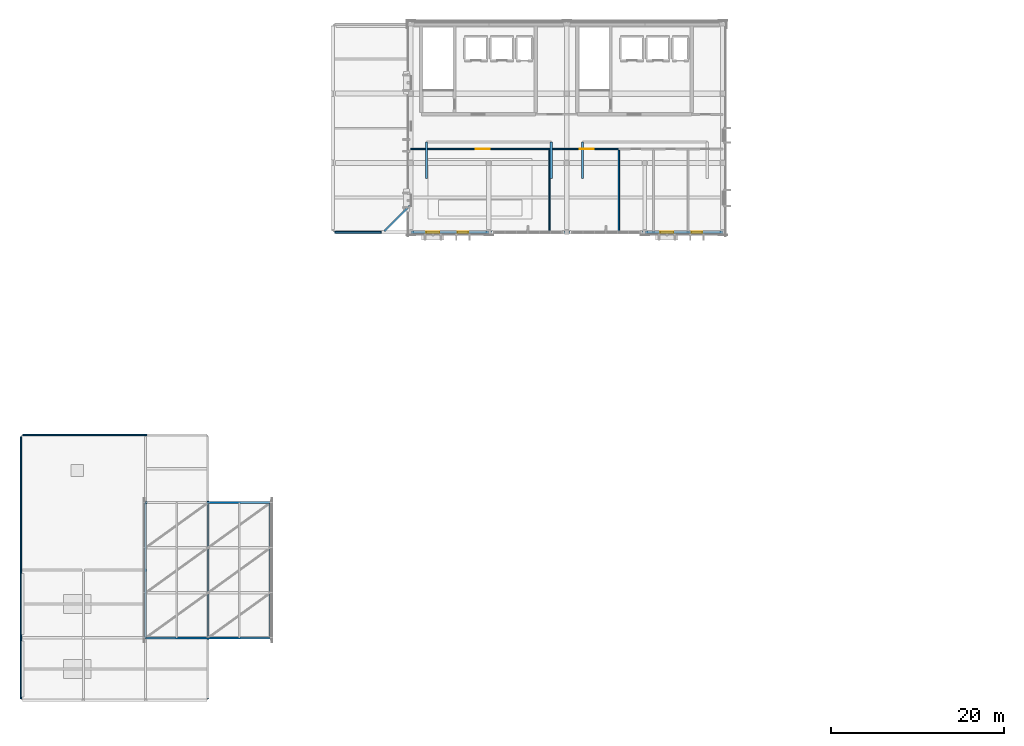
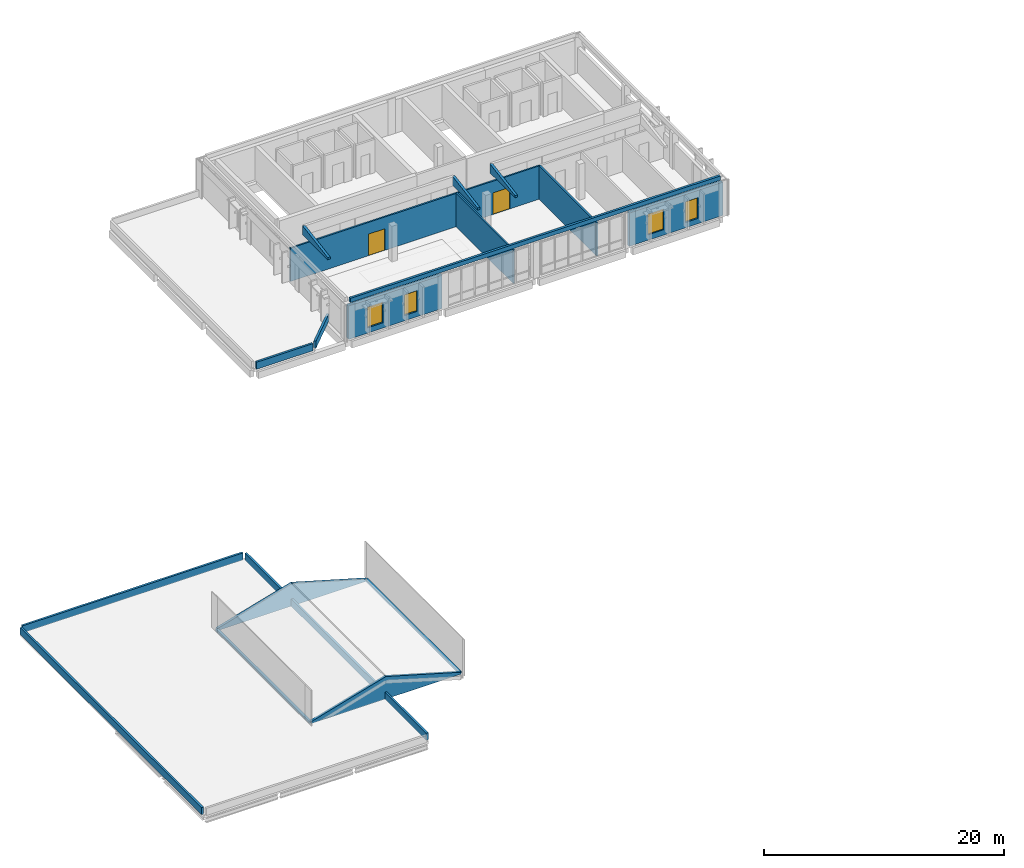
# One storey, part 7 of 12: 19 walls, 4 windows, 2 doors, 6 openings.
"""IFC4 building model written with IfcOpenShell, lengths in metres."""

from ifc_helpers import new_model, si_unit, direction, frame, frame_2d, origin, place, context, subcontext, project, spatial, polyline, rectangle, outline, extrude, material, layer, layer_set, type_object, element, fill, save


model = new_model("IFC4")

# Units and contexts
model_context = context("Model", 3, precision=1e-05, world=origin(), true_north=direction((0.0, 1.0)))
body_context = subcontext(model_context, "Body", "Model", "MODEL_VIEW")
ifc_project = project(units=[si_unit("LENGTHUNIT", "METRE"), si_unit("AREAUNIT", "SQUARE_METRE"), si_unit("VOLUMEUNIT", "CUBIC_METRE"), si_unit("PLANEANGLEUNIT", "RADIAN"), si_unit("MASSUNIT", "GRAM", prefix="KILO")], contexts=[model_context])

# Site, building, storey
site_placement = place(None, origin())
site = spatial("IfcSite", under=ifc_project, at=site_placement, CompositionType="ELEMENT")
building_placement = place(site_placement, origin())
building = spatial("IfcBuilding", under=site, at=building_placement, Name="Vervanel Yard Central Library", CompositionType="ELEMENT")
storey_placement = place(building_placement, frame((0.0, 0.0, 20.260009765625)))
storey = spatial("IfcBuildingStorey", under=building, at=storey_placement, Name="L05", CompositionType="ELEMENT", Elevation=20.260009765625)

# Wall, opening, door
ifc_material_1 = material(Name="Fire-rated gypsum board on steel studs", Category="steel")
ifc_layer_1 = layer(ifc_material_1, 0.159912109375, Category="steel")
ifc_layer_set_1 = layer_set([ifc_layer_1], Name="Fire-rated gypsum board on steel studs")
wall_type_1 = type_object("IfcWallType", Name="Acoustic Glazed Partition 160", PredefinedType="PARTITIONING", material=ifc_layer_set_1)
wall_1_placement = place(storey_placement, frame((45.0, 99.60009765625, 0.0), z_axis=(0.0, 0.0, 1.0), x_axis=(1.0, 0.0, 0.0)))
wall_1 = element("IfcWall", 1, at=wall_1_placement, inside=storey, type_object=wall_type_1, Name="L05 Acoustic Glazed Partition 160 IPART-L05-0123", PredefinedType="PARTITIONING", context=body_context, shape_type="SweptSolid", body=[
    extrude(rectangle(XDim=16.0, YDim=0.159912109375, at=frame_2d((8.0, 0.0))), origin(), (0.0, 0.0, 1.0), 3.389892578125),
])
opening_1_placement = place(wall_1_placement, frame((7.5, 0.0, 0.0)))
opening_1 = element("IfcOpeningElement", 2, at=opening_1_placement, cuts=wall_1, Name="Opening DR-04", PredefinedType="OPENING", context=body_context, shape_type="SweptSolid", body=[
    extrude(rectangle(XDim=1.60009765625, YDim=2.199951171875, at=frame_2d((0.800048828125, 1.10009765625))), frame((0.0, 0.08984375, 0.0), z_axis=(0.0, -1.0, 0.0), x_axis=(1.0, 0.0, 0.0)), (0.0, 0.0, 1.0), 0.179931640625),
])
ifc_material_2 = material(Name="Solid white oak acoustic joinery", Category="wood")
door_type = type_object("IfcDoorType", Name="Interior Double Reading Door 1600x2200", OperationType="NOTDEFINED", PredefinedType="DOOR", material=ifc_material_2)
door_1_placement = place(opening_1_placement, origin())
door_1 = element("IfcDoor", 3, at=door_1_placement, inside=storey, type_object=door_type, Name="L05 Interior Double Reading Door 1600x2200 IDOOR-L05-0096", OperationType="DOUBLE_DOOR_SINGLE_SWING", OverallHeight=2.199951171875, OverallWidth=1.60009765625, PredefinedType="DOOR", context=body_context, shape_type="SweptSolid", body=[
    extrude(rectangle(XDim=1.60009765625, YDim=2.199951171875, at=frame_2d((0.800048828125, 1.10009765625))), frame((0.0, 0.02490234375, 0.0), z_axis=(0.0, -1.0, 0.0), x_axis=(1.0, 0.0, 0.0)), (0.0, 0.0, 1.0), 0.050048828125),
])
fill(opening_1, door_1)

# Wall, openings, windows
ifc_material_3 = material(Name="Concrete C45/55", Category="concrete")
ifc_layer_2 = layer(ifc_material_3, 0.340087890625, Category="concrete")
ifc_layer_set_2 = layer_set([ifc_layer_2], Name="Concrete C45/55")
wall_type_2 = type_object("IfcWallType", Name="Exterior Bearing Concrete Frame Wall 340", PredefinedType="SOLIDWALL", material=ifc_layer_set_2)
wall_2_placement = place(storey_placement, frame((45.0, 90.0, 0.0), z_axis=(0.0, 0.0, 1.0), x_axis=(1.0, 0.0, 0.0)))
wall_2 = element("IfcWall", 4, at=wall_2_placement, inside=storey, type_object=wall_type_2, Name="L05 Exterior Bearing Concrete Frame Wall 340 EWALL-L05-0076", PredefinedType="SOLIDWALL", context=body_context, shape_type="SweptSolid", body=[
    extrude(rectangle(XDim=9.0, YDim=0.340087890625, at=frame_2d((4.5, 0.0))), origin(), (0.0, 0.0, 1.0), 3.389892578125),
])
opening_2_placement = place(wall_2_placement, frame((1.800048828125, 0.0, 0.544921875)))
opening_2 = element("IfcOpeningElement", 5, at=opening_2_placement, cuts=wall_2, Name="Opening WN-02", PredefinedType="OPENING", context=body_context, shape_type="SweptSolid", body=[
    extrude(rectangle(XDim=1.5, YDim=2.10009765625, at=frame_2d((0.75, 1.050048828125))), frame((0.0, 0.179931640625, 0.0), z_axis=(0.0, -1.0, 0.0), x_axis=(1.0, 0.0, 0.0)), (0.0, 0.0, 1.0), 0.360107421875),
])
opening_3_placement = place(wall_2_placement, frame((5.39990234375, 0.0, 0.544921875)))
opening_3 = element("IfcOpeningElement", 6, at=opening_3_placement, cuts=wall_2, Name="Opening WN-01", PredefinedType="OPENING", context=body_context, shape_type="SweptSolid", body=[
    extrude(rectangle(XDim=1.199951171875, YDim=2.10009765625, at=frame_2d((0.60009765625, 1.050048828125))), frame((0.0, 0.179931640625, 0.0), z_axis=(0.0, -1.0, 0.0), x_axis=(1.0, 0.0, 0.0)), (0.0, 0.0, 1.0), 0.360107421875),
])
ifc_material_4 = material(Name="Double low-E laminated solar-control glass", Category="glass")
window_type_1 = type_object("IfcWindowType", Name="Reading Bay Window 1500x2100", PartitioningType="SINGLE_PANEL", PredefinedType="WINDOW", material=ifc_material_4)
window_1_placement = place(opening_2_placement, origin())
window_1 = element("IfcWindow", 7, at=window_1_placement, inside=storey, type_object=window_type_1, Name="L05 Reading Bay Window 1500x2100 100", OverallHeight=2.10009765625, OverallWidth=1.5, PartitioningType="SINGLE_PANEL", PredefinedType="WINDOW", context=body_context, shape_type="SweptSolid", body=[
    extrude(rectangle(XDim=1.5, YDim=2.10009765625, at=frame_2d((0.75, 1.050048828125))), frame((0.0, 0.030029296875, 0.0), z_axis=(0.0, -1.0, 0.0), x_axis=(1.0, 0.0, 0.0)), (0.0, 0.0, 1.0), 0.06005859375),
])
fill(opening_2, window_1)
window_type_2 = type_object("IfcWindowType", Name="Reading Slot Window 1200x2100", PartitioningType="SINGLE_PANEL", PredefinedType="WINDOW", material=ifc_material_4)
window_2_placement = place(opening_3_placement, origin())
window_2 = element("IfcWindow", 8, at=window_2_placement, inside=storey, type_object=window_type_2, Name="L05 Reading Slot Window 1200x2100 101", OverallHeight=2.10009765625, OverallWidth=1.199951171875, PartitioningType="SINGLE_PANEL", PredefinedType="WINDOW", context=body_context, shape_type="SweptSolid", body=[
    extrude(rectangle(XDim=1.199951171875, YDim=2.10009765625, at=frame_2d((0.60009765625, 1.050048828125))), frame((0.0, 0.030029296875, 0.0), z_axis=(0.0, -1.0, 0.0), x_axis=(1.0, 0.0, 0.0)), (0.0, 0.0, 1.0), 0.06005859375),
])
fill(opening_3, window_2)

wall_3_placement = place(storey_placement, frame((72.0, 90.0, 0.0), z_axis=(0.0, 0.0, 1.0), x_axis=(1.0, 0.0, 0.0)))
wall_3 = element("IfcWall", 9, at=wall_3_placement, inside=storey, type_object=wall_type_2, Name="L05 Exterior Bearing Concrete Frame Wall 340 EWALL-L05-0077", PredefinedType="SOLIDWALL", context=body_context, shape_type="SweptSolid", body=[
    extrude(rectangle(XDim=9.0, YDim=0.340087890625, at=frame_2d((4.5, 0.0))), origin(), (0.0, 0.0, 1.0), 3.389892578125),
])
opening_4_placement = place(wall_3_placement, frame((1.800048828125, 0.0, 0.544921875)))
opening_4 = element("IfcOpeningElement", 10, at=opening_4_placement, cuts=wall_3, Name="Opening WN-02", PredefinedType="OPENING", context=body_context, shape_type="SweptSolid", body=[
    extrude(rectangle(XDim=1.5, YDim=2.10009765625, at=frame_2d((0.75, 1.050048828125))), frame((0.0, 0.179931640625, 0.0), z_axis=(0.0, -1.0, 0.0), x_axis=(1.0, 0.0, 0.0)), (0.0, 0.0, 1.0), 0.360107421875),
])
opening_5_placement = place(wall_3_placement, frame((5.39990234375, 0.0, 0.544921875)))
opening_5 = element("IfcOpeningElement", 11, at=opening_5_placement, cuts=wall_3, Name="Opening WN-01", PredefinedType="OPENING", context=body_context, shape_type="SweptSolid", body=[
    extrude(rectangle(XDim=1.199951171875, YDim=2.10009765625, at=frame_2d((0.60009765625, 1.050048828125))), frame((0.0, 0.179931640625, 0.0), z_axis=(0.0, -1.0, 0.0), x_axis=(1.0, 0.0, 0.0)), (0.0, 0.0, 1.0), 0.360107421875),
])
window_3_placement = place(opening_4_placement, origin())
window_3 = element("IfcWindow", 12, at=window_3_placement, inside=storey, type_object=window_type_1, Name="L05 Reading Bay Window 1500x2100 102", OverallHeight=2.10009765625, OverallWidth=1.5, PartitioningType="SINGLE_PANEL", PredefinedType="WINDOW", context=body_context, shape_type="SweptSolid", body=[
    extrude(rectangle(XDim=1.5, YDim=2.10009765625, at=frame_2d((0.75, 1.050048828125))), frame((0.0, 0.030029296875, 0.0), z_axis=(0.0, -1.0, 0.0), x_axis=(1.0, 0.0, 0.0)), (0.0, 0.0, 1.0), 0.06005859375),
])
fill(opening_4, window_3)
window_4_placement = place(opening_5_placement, origin())
window_4 = element("IfcWindow", 13, at=window_4_placement, inside=storey, type_object=window_type_2, Name="L05 Reading Slot Window 1200x2100 103", OverallHeight=2.10009765625, OverallWidth=1.199951171875, PartitioningType="SINGLE_PANEL", PredefinedType="WINDOW", context=body_context, shape_type="SweptSolid", body=[
    extrude(rectangle(XDim=1.199951171875, YDim=2.10009765625, at=frame_2d((0.60009765625, 1.050048828125))), frame((0.0, 0.030029296875, 0.0), z_axis=(0.0, -1.0, 0.0), x_axis=(1.0, 0.0, 0.0)), (0.0, 0.0, 1.0), 0.06005859375),
])
fill(opening_5, window_4)

# Wall, opening, door
ifc_layer_3 = layer(ifc_material_1, 0.14990234375, Category="steel")
ifc_layer_set_3 = layer_set([ifc_layer_3], Name="Fire-rated gypsum board on steel studs")
wall_type_3 = type_object("IfcWallType", Name="Interior Partition 150", PredefinedType="PARTITIONING", material=ifc_layer_set_3)
wall_4_placement = place(storey_placement, frame((61.0, 99.60009765625, 0.0), z_axis=(0.0, 0.0, 1.0), x_axis=(1.0, 0.0, 0.0)))
wall_4 = element("IfcWall", 14, at=wall_4_placement, inside=storey, type_object=wall_type_3, Name="L05 Interior Partition 150 IPART-L05-0124", PredefinedType="PARTITIONING", context=body_context, shape_type="SweptSolid", body=[
    extrude(rectangle(XDim=8.0, YDim=0.14990234375, at=frame_2d((4.0, 0.0))), origin(), (0.0, 0.0, 1.0), 3.389892578125),
])
opening_6_placement = place(wall_4_placement, frame((3.5, 0.0, 0.0)))
opening_6 = element("IfcOpeningElement", 15, at=opening_6_placement, cuts=wall_4, Name="Opening DR-04", PredefinedType="OPENING", context=body_context, shape_type="SweptSolid", body=[
    extrude(rectangle(XDim=1.60009765625, YDim=2.199951171875, at=frame_2d((0.800048828125, 1.10009765625))), frame((0.0, 0.0849609375, 0.0), z_axis=(0.0, -1.0, 0.0), x_axis=(1.0, 0.0, 0.0)), (0.0, 0.0, 1.0), 0.169921875),
])
door_2_placement = place(opening_6_placement, origin())
door_2 = element("IfcDoor", 16, at=door_2_placement, inside=storey, type_object=door_type, Name="L05 Interior Double Reading Door 1600x2200 IDOOR-L05-0097", OperationType="DOUBLE_DOOR_SINGLE_SWING", OverallHeight=2.199951171875, OverallWidth=1.60009765625, PredefinedType="DOOR", context=body_context, shape_type="SweptSolid", body=[
    extrude(rectangle(XDim=1.60009765625, YDim=2.199951171875, at=frame_2d((0.800048828125, 1.10009765625))), frame((0.0, 0.02490234375, 0.0), z_axis=(0.0, -1.0, 0.0), x_axis=(1.0, 0.0, 0.0)), (0.0, 0.0, 1.0), 0.050048828125),
])
fill(opening_6, door_2)

# Walls
wall_5_placement = place(storey_placement, frame((61.0, 90.0, 0.0), z_axis=(0.0, 0.0, 1.0), x_axis=(0.0, 1.0, 0.0)))
element("IfcWall", 17, at=wall_5_placement, inside=storey, type_object=wall_type_3, Name="L05 Interior Partition 150 IPART-L05-0125", PredefinedType="PARTITIONING", context=body_context, shape_type="SweptSolid", body=[
    extrude(rectangle(XDim=9.60009765625, YDim=0.14990234375, at=frame_2d((4.800048828125, 0.0))), origin(), (0.0, 0.0, 1.0), 3.389892578125),
])
ifc_material_5 = material(Name="Concrete C40/50", Category="concrete")
ifc_layer_4 = layer(ifc_material_5, 0.219970703125, Category="concrete")
ifc_layer_set_4 = layer_set([ifc_layer_4], Name="Concrete C40/50")
wall_type_4 = type_object("IfcWallType", Name="Main Roof Concrete Parapet 220", PredefinedType="PARAPET", material=ifc_layer_set_4)
wall_6_placement = place(storey_placement, frame((45.219970703125, 90.0, 3.639892578125), z_axis=(0.0, 0.0, 1.0), x_axis=(1.0, 0.0, 0.0)))
element("IfcWall", 18, at=wall_6_placement, inside=storey, type_object=wall_type_4, Name="RF Roof Parapet 42", PredefinedType="PARAPET", context=body_context, shape_type="SweptSolid", body=[
    extrude(rectangle(XDim=35.56005859375, YDim=0.219970703125, at=frame_2d((17.780029296875, 0.0))), origin(), (0.0, 0.0, 1.0), 0.420166015625),
])
ifc_layer_5 = layer(ifc_material_5, 0.239990234375, Category="concrete")
ifc_layer_set_5 = layer_set([ifc_layer_5], Name="Concrete C40/50")
wall_type_5 = type_object("IfcWallType", Name="Monitor Clerestory Apron Wall 240", PredefinedType="SOLIDWALL", material=ifc_layer_set_5)
for number, where, z_axis, x_axis, name in (
    (19, (46.800048828125, 96.199951171875, 3.639892578125), (0.0, 0.0, 1.0), (0.0, 1.0, 0.0), "L05 Monitor Clerestory Apron Wall 240 EWALL-L05-0081"),
    (20, (61.199951171875, 96.199951171875, 3.639892578125), (0.0, 0.0, 1.0), (0.0, 1.0, 0.0), "L05 Monitor Clerestory Apron Wall 240 EWALL-L05-0082"),
    (21, (64.800048828125, 96.199951171875, 3.639892578125), (0.0, 0.0, 1.0), (0.0, 1.0, 0.0), "L05 Monitor Clerestory Apron Wall 240 EWALL-L05-0084"),
):
    element("IfcWall", number, at=place(storey_placement, frame(where, z_axis=z_axis, x_axis=x_axis)), inside=storey, type_object=wall_type_5, Name=name, PredefinedType="SOLIDWALL", context=body_context, shape_type="SweptSolid", body=[
        extrude(outline(polyline([(0.0, 0.0), (4.199951171875, 0.0), (4.199951171875, 0.920166015625), (0.0, 0.22021484375), (0.0, 0.0)])), frame((0.0, 0.1201171875, 0.0), z_axis=(0.0, -1.0, 0.0), x_axis=(1.0, 0.0, 0.0)), (0.0, 0.0, 1.0), 0.239990234375),
    ])
for number, where, z_axis, x_axis, name in (
    (22, (14.39990234375, 43.199951171875, 0.0), (0.0, 0.0, 1.0), (1.0, 0.0, 0.0), "L05 Monitor Clerestory Apron Wall 240 EWALL-L05-0153"),
    (23, (14.39990234375, 58.800048828125, 0.0), (0.0, 0.0, 1.0), (1.0, 0.0, 0.0), "L05 Monitor Clerestory Apron Wall 240 EWALL-L05-0154"),
):
    element("IfcWall", number, at=place(storey_placement, frame(where, z_axis=z_axis, x_axis=x_axis)), inside=storey, type_object=wall_type_5, Name=name, PredefinedType="SOLIDWALL", context=body_context, shape_type="SweptSolid", body=[
        extrude(outline(polyline([(0.0, 0.0), (14.400146484375, 0.0), (14.39990234375, 0.199951171875), (7.199951171875, 2.280029296875), (0.0, 0.199951171875), (0.0, 0.0)])), frame((0.0, 0.1201171875, 0.0), z_axis=(0.0, -1.0, 0.0), x_axis=(1.0, 0.0, 0.0)), (0.0, 0.0, 1.0), 0.239990234375),
    ])
for number, where, z_axis, x_axis, name in (
    (24, (14.39990234375, 43.199951171875, 0.0), (0.0, 0.0, 1.0), (0.0, 1.0, 0.0), "L05 Monitor Clerestory Apron Wall 240 EWALL-L05-0155"),
    (25, (28.800048828125, 43.199951171875, 0.0), (0.0, 0.0, 1.0), (0.0, 1.0, 0.0), "L05 Monitor Clerestory Apron Wall 240 EWALL-L05-0156"),
):
    element("IfcWall", number, at=place(storey_placement, frame(where, z_axis=z_axis, x_axis=x_axis)), inside=storey, type_object=wall_type_5, Name=name, PredefinedType="SOLIDWALL", context=body_context, shape_type="SweptSolid", body=[
        extrude(rectangle(XDim=15.60009765625, YDim=0.239990234375, at=frame_2d((7.800048828125, 0.0))), origin(), (0.0, 0.0, 1.0), 0.199951171875),
    ])
ifc_layer_6 = layer(ifc_material_1, 0.179931640625, Category="steel")
ifc_layer_set_6 = layer_set([ifc_layer_6], Name="Fire-rated gypsum board on steel studs")
wall_type_6 = type_object("IfcWallType", Name="Plumbing Chase Wall 180", PredefinedType="PLUMBINGWALL", material=ifc_layer_set_6)
wall_7_placement = place(storey_placement, frame((69.0, 90.0, 0.0), z_axis=(0.0, 0.0, 1.0), x_axis=(0.0, 1.0, 0.0)))
element("IfcWall", 26, at=wall_7_placement, inside=storey, type_object=wall_type_6, Name="L05 Plumbing Chase Wall 180 IPART-L05-0127", PredefinedType="PLUMBINGWALL", context=body_context, shape_type="SweptSolid", body=[
    extrude(rectangle(XDim=9.60009765625, YDim=0.179931640625, at=frame_2d((4.800048828125, 0.0))), origin(), (0.0, 0.0, 1.0), 3.389892578125),
])
ifc_layer_7 = layer(ifc_material_5, 0.199951171875, Category="concrete")
ifc_layer_set_7 = layer_set([ifc_layer_7], Name="Concrete C40/50")
wall_type_7 = type_object("IfcWallType", Name="Setback Roof Concrete Parapet 200", PredefinedType="PARAPET", material=ifc_layer_set_7)
wall_8_placement = place(storey_placement, frame((36.199951171875, 90.0, 0.0), z_axis=(0.0, 0.0, 1.0), x_axis=(1.0, 0.0, 0.0)))
element("IfcWall", 27, at=wall_8_placement, inside=storey, type_object=wall_type_7, Name="L05 Roof Parapet 34", PredefinedType="PARAPET", context=body_context, shape_type="SweptSolid", body=[
    extrude(rectangle(XDim=5.400146484375, YDim=0.199951171875, at=frame_2d((2.7001953125, 0.0))), origin(), (0.0, 0.0, 1.0), 0.719970703125),
])
wall_9_placement = place(storey_placement, frame((41.94140625, 90.141357421875, 0.0), z_axis=(0.0, 0.0, 1.0), x_axis=(0.707106781187, 0.707106781187, 0.0)))
element("IfcWall", 28, at=wall_9_placement, inside=storey, type_object=wall_type_7, Name="L05 Roof Parapet 35", PredefinedType="PARAPET", context=body_context, shape_type="SweptSolid", body=[
    extrude(rectangle(XDim=4.12548828125, YDim=0.199951171875, at=frame_2d((2.062744140625, 0.0))), origin(), (0.0, 0.0, 1.0), 0.719970703125),
])
wall_10_placement = place(storey_placement, frame((21.60009765625, 36.199951171875, 0.0), z_axis=(0.0, 0.0, 1.0), x_axis=(0.0, 1.0, 0.0)))
element("IfcWall", 29, at=wall_10_placement, inside=storey, type_object=wall_type_7, Name="L05 Roof Parapet 39", PredefinedType="PARAPET", context=body_context, shape_type="SweptSolid", body=[
    extrude(rectangle(XDim=30.199951171875, YDim=0.199951171875, at=frame_2d((15.10009765625, 0.0))), origin(), (0.0, 0.0, 1.0), 0.719970703125),
])
wall_11_placement = place(storey_placement, frame((21.39990234375, 66.60009765625, 0.0), z_axis=(0.0, 0.0, 1.0), x_axis=(-1.0, 0.0, 0.0)))
element("IfcWall", 30, at=wall_11_placement, inside=storey, type_object=wall_type_7, Name="L05 Roof Parapet 40", PredefinedType="PARAPET", context=body_context, shape_type="SweptSolid", body=[
    extrude(rectangle(XDim=21.199951171875, YDim=0.199951171875, at=frame_2d((10.60009765625, 0.0))), origin(), (0.0, 0.0, 1.0), 0.719970703125),
])
wall_12_placement = place(storey_placement, frame((0.0, 66.39990234375, 0.0), z_axis=(0.0, 0.0, 1.0), x_axis=(0.0, -1.0, 0.0)))
element("IfcWall", 31, at=wall_12_placement, inside=storey, type_object=wall_type_7, Name="L05 Roof Parapet 41", PredefinedType="PARAPET", context=body_context, shape_type="SweptSolid", body=[
    extrude(rectangle(XDim=30.199951171875, YDim=0.199951171875, at=frame_2d((15.10009765625, 0.0))), origin(), (0.0, 0.0, 1.0), 0.719970703125),
])

save(model, "model.ifc")
